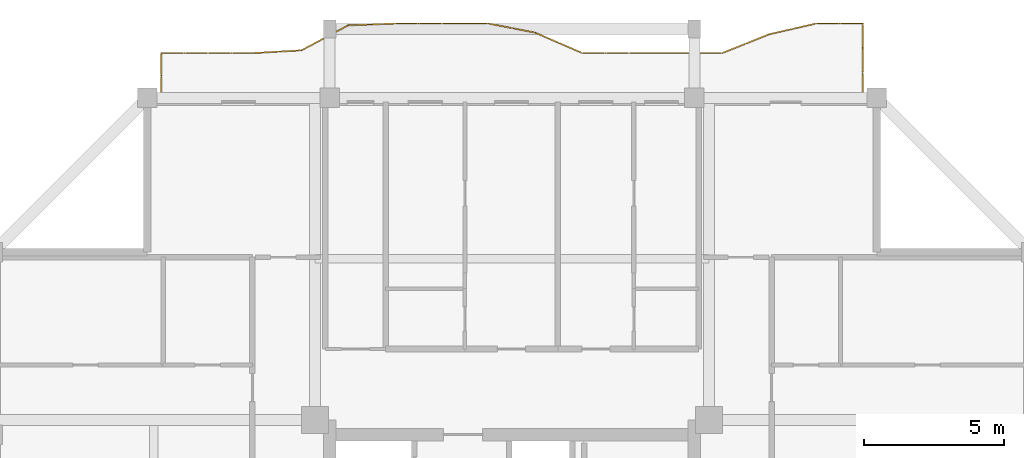
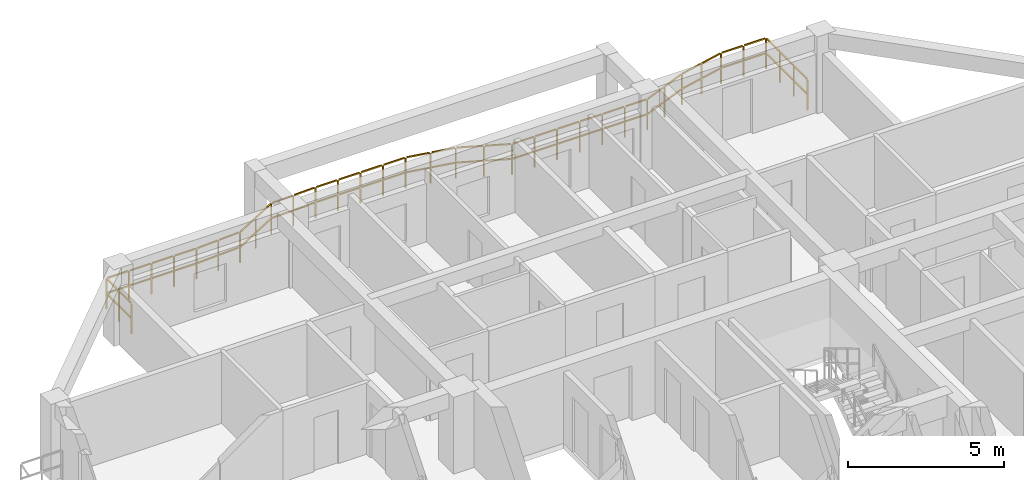
# One storey, part 14 of 14: 1 railing.
"""IFC4 building model written with IfcOpenShell, lengths in metres."""

from ifc_helpers import new_model, si_unit, direction, frame, origin, origin_2d, place, context, subcontext, project, spatial, rectangle, extrude, material, type_object, element, save


model = new_model("IFC4")

# Units and contexts
model_context = context("Model", 3, precision=1e-05, world=origin(), true_north=direction((0.0, 1.0)))
body_context = subcontext(model_context, "Body", "Model", "MODEL_VIEW")
ifc_project = project(units=[si_unit("LENGTHUNIT", "METRE"), si_unit("AREAUNIT", "SQUARE_METRE"), si_unit("VOLUMEUNIT", "CUBIC_METRE"), si_unit("PLANEANGLEUNIT", "RADIAN"), si_unit("MASSUNIT", "GRAM", prefix="KILO")], contexts=[model_context])

# Site, building, storey
site_placement = place(None, origin())
site = spatial("IfcSite", under=ifc_project, at=site_placement, CompositionType="ELEMENT")
building_placement = place(site_placement, origin())
building = spatial("IfcBuilding", under=site, at=building_placement, Name="Saelheon Loggia Tower", CompositionType="ELEMENT")
storey_placement = place(building_placement, frame((0.0, 0.0, 210.300048828125)))
storey = spatial("IfcBuildingStorey", under=building, at=storey_placement, Name="L65", CompositionType="ELEMENT", Elevation=210.300048828125)

# Railing
ifc_material = material(Name="Architectural Precast Concrete and Laminated Glass Guard", Category="concrete")
railing_type = type_object("IfcRailingType", Name="Guard_Loggia_RL_LOG", PredefinedType="BALUSTRADE", material=ifc_material)
railing_placement = place(storey_placement, frame((50.5, 48.0, 0.0)))
element("IfcRailing", 1, at=railing_placement, inside=storey, type_object=railing_type, Name="L65 North Loggia Balustrade", PredefinedType="BALUSTRADE", context=body_context, shape_type="SweptSolid", body=[
    extrude(rectangle(XDim=0.048095703125, YDim=0.048095703125, at=origin_2d()), frame((0.0, 0.033203125, 1.19580078125), z_axis=(0.0, 1.0, 0.0), x_axis=(-1.0, 0.0, 0.0)), (0.0, 0.0, 1.0), 0.81689453125),
    extrude(rectangle(XDim=0.048095703125, YDim=0.048095703125, at=origin_2d()), frame((0.0, 0.033203125, 0.60986328125), z_axis=(0.0, 1.0, 0.0), x_axis=(-1.0, 0.0, 0.0)), (0.0, 0.0, 1.0), 0.81689453125),
    extrude(rectangle(XDim=0.048095703125, YDim=0.048095703125, at=origin_2d()), frame((0.0, 0.91650390625, 1.19580078125), z_axis=(0.0, 1.0, 0.0), x_axis=(-1.0, 0.0, 0.0)), (0.0, 0.0, 1.0), 0.81689453125),
    extrude(rectangle(XDim=0.048095703125, YDim=0.048095703125, at=origin_2d()), frame((0.0, 0.91650390625, 0.60986328125), z_axis=(0.0, 1.0, 0.0), x_axis=(-1.0, 0.0, 0.0)), (0.0, 0.0, 1.0), 0.81689453125),
    extrude(rectangle(XDim=0.048095703125, YDim=0.048095703125, at=origin_2d()), frame((0.0, 1.7998046875, 1.19580078125), z_axis=(0.0, 1.0, 0.0), x_axis=(-1.0, 0.0, 0.0)), (0.0, 0.0, 1.0), 0.81689453125),
    extrude(rectangle(XDim=0.048095703125, YDim=0.048095703125, at=origin_2d()), frame((0.0, 1.7998046875, 0.60986328125), z_axis=(0.0, 1.0, 0.0), x_axis=(-1.0, 0.0, 0.0)), (0.0, 0.0, 1.0), 0.81689453125),
    extrude(rectangle(XDim=0.048095703125, YDim=0.048095703125, at=origin_2d()), frame((-0.033203125, 2.64990234375, 1.19580078125), z_axis=(-1.0, 0.0, 0.0), x_axis=(0.0, -1.0, 0.0)), (0.0, 0.0, 1.0), 0.766845703125),
    extrude(rectangle(XDim=0.048095703125, YDim=0.048095703125, at=origin_2d()), frame((-0.033203125, 2.64990234375, 0.60986328125), z_axis=(-1.0, 0.0, 0.0), x_axis=(0.0, -1.0, 0.0)), (0.0, 0.0, 1.0), 0.766845703125),
    extrude(rectangle(XDim=0.048095703125, YDim=0.048095703125, at=origin_2d()), frame((-0.86669921875, 2.64990234375, 1.19580078125), z_axis=(-1.0, 0.0, 0.0), x_axis=(0.0, -1.0, 0.0)), (0.0, 0.0, 1.0), 0.766845703125),
    extrude(rectangle(XDim=0.048095703125, YDim=0.048095703125, at=origin_2d()), frame((-0.86669921875, 2.64990234375, 0.60986328125), z_axis=(-1.0, 0.0, 0.0), x_axis=(0.0, -1.0, 0.0)), (0.0, 0.0, 1.0), 0.766845703125),
    extrude(rectangle(XDim=0.048095703125, YDim=0.048095703125, at=origin_2d()), frame((-1.69921875, 2.642578125, 1.19580078125), z_axis=(-0.974679179276, -0.223607910159, 0.0), x_axis=(0.223607910159, -0.974679179276, 0.0)), (0.0, 0.0, 1.0), 0.788330078125),
    extrude(rectangle(XDim=0.048095703125, YDim=0.048095703125, at=origin_2d()), frame((-1.69921875, 2.642578125, 0.60986328125), z_axis=(-0.974679179276, -0.223607910159, 0.0), x_axis=(0.223607910159, -0.974679179276, 0.0)), (0.0, 0.0, 1.0), 0.788330078125),
    extrude(rectangle(XDim=0.048095703125, YDim=0.048095703125, at=origin_2d()), frame((-2.532470703125, 2.451416015625, 1.19580078125), z_axis=(-0.974679179276, -0.223607910159, 0.0), x_axis=(0.223607910159, -0.974679179276, 0.0)), (0.0, 0.0, 1.0), 0.788330078125),
    extrude(rectangle(XDim=0.048095703125, YDim=0.048095703125, at=origin_2d()), frame((-2.532470703125, 2.451416015625, 0.60986328125), z_axis=(-0.974679179276, -0.223607910159, 0.0), x_axis=(0.223607910159, -0.974679179276, 0.0)), (0.0, 0.0, 1.0), 0.788330078125),
    extrude(rectangle(XDim=0.048095703125, YDim=0.048095703125, at=origin_2d()), frame((-3.364013671875, 2.255126953125, 1.19580078125), z_axis=(-0.928326569651, -0.371765759693, 0.0), x_axis=(0.371765759693, -0.928326569651, 0.0)), (0.0, 0.0, 1.0), 0.831298828125),
    extrude(rectangle(XDim=0.048095703125, YDim=0.048095703125, at=origin_2d()), frame((-3.364013671875, 2.255126953125, 0.60986328125), z_axis=(-0.928326569651, -0.371765759693, 0.0), x_axis=(0.371765759693, -0.928326569651, 0.0)), (0.0, 0.0, 1.0), 0.831298828125),
    extrude(rectangle(XDim=0.048095703125, YDim=0.048095703125, at=origin_2d()), frame((-4.197509765625, 1.92138671875, 1.19580078125), z_axis=(-0.928326569651, -0.371765759693, 0.0), x_axis=(0.371765759693, -0.928326569651, 0.0)), (0.0, 0.0, 1.0), 0.831298828125),
    extrude(rectangle(XDim=0.048095703125, YDim=0.048095703125, at=origin_2d()), frame((-4.197509765625, 1.92138671875, 0.60986328125), z_axis=(-0.928326569651, -0.371765759693, 0.0), x_axis=(0.371765759693, -0.928326569651, 0.0)), (0.0, 0.0, 1.0), 0.831298828125),
    extrude(rectangle(XDim=0.048095703125, YDim=0.048095703125, at=origin_2d()), frame((-5.033203125, 1.60009765625, 1.19580078125), z_axis=(-1.0, 0.0, 0.0), x_axis=(0.0, -1.0, 0.0)), (0.0, 0.0, 1.0), 0.766845703125),
    extrude(rectangle(XDim=0.048095703125, YDim=0.048095703125, at=origin_2d()), frame((-5.033203125, 1.60009765625, 0.60986328125), z_axis=(-1.0, 0.0, 0.0), x_axis=(0.0, -1.0, 0.0)), (0.0, 0.0, 1.0), 0.766845703125),
    extrude(rectangle(XDim=0.048095703125, YDim=0.048095703125, at=origin_2d()), frame((-5.86669921875, 1.60009765625, 1.19580078125), z_axis=(-1.0, 0.0, 0.0), x_axis=(0.0, -1.0, 0.0)), (0.0, 0.0, 1.0), 0.766845703125),
    extrude(rectangle(XDim=0.048095703125, YDim=0.048095703125, at=origin_2d()), frame((-5.86669921875, 1.60009765625, 0.60986328125), z_axis=(-1.0, 0.0, 0.0), x_axis=(0.0, -1.0, 0.0)), (0.0, 0.0, 1.0), 0.766845703125),
    extrude(rectangle(XDim=0.048095703125, YDim=0.048095703125, at=origin_2d()), frame((-6.699951171875, 1.60009765625, 1.19580078125), z_axis=(-1.0, 0.0, 0.0), x_axis=(0.0, -1.0, 0.0)), (0.0, 0.0, 1.0), 0.766845703125),
    extrude(rectangle(XDim=0.048095703125, YDim=0.048095703125, at=origin_2d()), frame((-6.699951171875, 1.60009765625, 0.60986328125), z_axis=(-1.0, 0.0, 0.0), x_axis=(0.0, -1.0, 0.0)), (0.0, 0.0, 1.0), 0.766845703125),
    extrude(rectangle(XDim=0.048095703125, YDim=0.048095703125, at=origin_2d()), frame((-7.533203125, 1.60009765625, 1.19580078125), z_axis=(-1.0, 0.0, 0.0), x_axis=(0.0, -1.0, 0.0)), (0.0, 0.0, 1.0), 0.766845703125),
    extrude(rectangle(XDim=0.048095703125, YDim=0.048095703125, at=origin_2d()), frame((-7.533203125, 1.60009765625, 0.60986328125), z_axis=(-1.0, 0.0, 0.0), x_axis=(0.0, -1.0, 0.0)), (0.0, 0.0, 1.0), 0.766845703125),
    extrude(rectangle(XDim=0.048095703125, YDim=0.048095703125, at=origin_2d()), frame((-8.366455078125, 1.60009765625, 1.19580078125), z_axis=(-1.0, 0.0, 0.0), x_axis=(0.0, -1.0, 0.0)), (0.0, 0.0, 1.0), 0.766845703125),
    extrude(rectangle(XDim=0.048095703125, YDim=0.048095703125, at=origin_2d()), frame((-8.366455078125, 1.60009765625, 0.60986328125), z_axis=(-1.0, 0.0, 0.0), x_axis=(0.0, -1.0, 0.0)), (0.0, 0.0, 1.0), 0.766845703125),
    extrude(rectangle(XDim=0.048095703125, YDim=0.048095703125, at=origin_2d()), frame((-9.199951171875, 1.60009765625, 1.19580078125), z_axis=(-1.0, 0.0, 0.0), x_axis=(0.0, -1.0, 0.0)), (0.0, 0.0, 1.0), 0.766845703125),
    extrude(rectangle(XDim=0.048095703125, YDim=0.048095703125, at=origin_2d()), frame((-9.199951171875, 1.60009765625, 0.60986328125), z_axis=(-1.0, 0.0, 0.0), x_axis=(0.0, -1.0, 0.0)), (0.0, 0.0, 1.0), 0.766845703125),
    extrude(rectangle(XDim=0.048095703125, YDim=0.048095703125, at=origin_2d()), frame((-10.030517578125, 1.61328125, 1.19580078125), z_axis=(-0.917671645911, 0.397339590642, 0.0), x_axis=(-0.397339590642, -0.917671645911, 0.0)), (0.0, 0.0, 1.0), 0.841552734375),
    extrude(rectangle(XDim=0.048095703125, YDim=0.048095703125, at=origin_2d()), frame((-10.030517578125, 1.61328125, 0.60986328125), z_axis=(-0.917671645911, 0.397339590642, 0.0), x_axis=(-0.397339590642, -0.917671645911, 0.0)), (0.0, 0.0, 1.0), 0.841552734375),
    extrude(rectangle(XDim=0.048095703125, YDim=0.048095703125, at=origin_2d()), frame((-10.86376953125, 1.97412109375, 1.19580078125), z_axis=(-0.917671645911, 0.397339590642, 0.0), x_axis=(-0.397339590642, -0.917671645911, 0.0)), (0.0, 0.0, 1.0), 0.841552734375),
    extrude(rectangle(XDim=0.048095703125, YDim=0.048095703125, at=origin_2d()), frame((-10.86376953125, 1.97412109375, 0.60986328125), z_axis=(-0.917671645911, 0.397339590642, 0.0), x_axis=(-0.397339590642, -0.917671645911, 0.0)), (0.0, 0.0, 1.0), 0.841552734375),
    extrude(rectangle(XDim=0.048095703125, YDim=0.048095703125, at=origin_2d()), frame((-11.699462890625, 2.328125, 1.19580078125), z_axis=(-0.981162310817, 0.193185195684, 0.0), x_axis=(-0.193185195684, -0.981162310817, 0.0)), (0.0, 0.0, 1.0), 0.78271484375),
    extrude(rectangle(XDim=0.048095703125, YDim=0.048095703125, at=origin_2d()), frame((-11.699462890625, 2.328125, 0.60986328125), z_axis=(-0.981162310817, 0.193185195684, 0.0), x_axis=(-0.193185195684, -0.981162310817, 0.0)), (0.0, 0.0, 1.0), 0.78271484375),
    extrude(rectangle(XDim=0.048095703125, YDim=0.048095703125, at=origin_2d()), frame((-12.53271484375, 2.4921875, 1.19580078125), z_axis=(-0.981162310817, 0.193185195684, 0.0), x_axis=(-0.193185195684, -0.981162310817, 0.0)), (0.0, 0.0, 1.0), 0.78271484375),
    extrude(rectangle(XDim=0.048095703125, YDim=0.048095703125, at=origin_2d()), frame((-12.53271484375, 2.4921875, 0.60986328125), z_axis=(-0.981162310817, 0.193185195684, 0.0), x_axis=(-0.193185195684, -0.981162310817, 0.0)), (0.0, 0.0, 1.0), 0.78271484375),
    extrude(rectangle(XDim=0.048095703125, YDim=0.048095703125, at=origin_2d()), frame((-13.366455078125, 2.64990234375, 1.19580078125), z_axis=(-1.0, 0.0, 0.0), x_axis=(0.0, -1.0, 0.0)), (0.0, 0.0, 1.0), 0.766845703125),
    extrude(rectangle(XDim=0.048095703125, YDim=0.048095703125, at=origin_2d()), frame((-13.366455078125, 2.64990234375, 0.60986328125), z_axis=(-1.0, 0.0, 0.0), x_axis=(0.0, -1.0, 0.0)), (0.0, 0.0, 1.0), 0.766845703125),
    extrude(rectangle(XDim=0.048095703125, YDim=0.048095703125, at=origin_2d()), frame((-14.199951171875, 2.64990234375, 1.19580078125), z_axis=(-1.0, 0.0, 0.0), x_axis=(0.0, -1.0, 0.0)), (0.0, 0.0, 1.0), 0.766845703125),
    extrude(rectangle(XDim=0.048095703125, YDim=0.048095703125, at=origin_2d()), frame((-14.199951171875, 2.64990234375, 0.60986328125), z_axis=(-1.0, 0.0, 0.0), x_axis=(0.0, -1.0, 0.0)), (0.0, 0.0, 1.0), 0.766845703125),
    extrude(rectangle(XDim=0.048095703125, YDim=0.048095703125, at=origin_2d()), frame((-15.033203125, 2.64990234375, 1.19580078125), z_axis=(-1.0, 0.0, 0.0), x_axis=(0.0, -1.0, 0.0)), (0.0, 0.0, 1.0), 0.766845703125),
    extrude(rectangle(XDim=0.048095703125, YDim=0.048095703125, at=origin_2d()), frame((-15.033203125, 2.64990234375, 0.60986328125), z_axis=(-1.0, 0.0, 0.0), x_axis=(0.0, -1.0, 0.0)), (0.0, 0.0, 1.0), 0.766845703125),
    extrude(rectangle(XDim=0.048095703125, YDim=0.048095703125, at=origin_2d()), frame((-15.86669921875, 2.64990234375, 1.19580078125), z_axis=(-1.0, 0.0, 0.0), x_axis=(0.0, -1.0, 0.0)), (0.0, 0.0, 1.0), 0.766845703125),
    extrude(rectangle(XDim=0.048095703125, YDim=0.048095703125, at=origin_2d()), frame((-15.86669921875, 2.64990234375, 0.60986328125), z_axis=(-1.0, 0.0, 0.0), x_axis=(0.0, -1.0, 0.0)), (0.0, 0.0, 1.0), 0.766845703125),
    extrude(rectangle(XDim=0.048095703125, YDim=0.048095703125, at=origin_2d()), frame((-16.699951171875, 2.648681640625, 1.19580078125), z_axis=(-0.999269798762, -0.038208235786, 0.0), x_axis=(0.038208235786, -0.999269798762, 0.0)), (0.0, 0.0, 1.0), 0.767333984375),
    extrude(rectangle(XDim=0.048095703125, YDim=0.048095703125, at=origin_2d()), frame((-16.699951171875, 2.648681640625, 0.60986328125), z_axis=(-0.999269798762, -0.038208235786, 0.0), x_axis=(0.038208235786, -0.999269798762, 0.0)), (0.0, 0.0, 1.0), 0.767333984375),
    extrude(rectangle(XDim=0.048095703125, YDim=0.048095703125, at=origin_2d()), frame((-17.533203125, 2.61669921875, 1.19580078125), z_axis=(-0.999269798762, -0.038208235786, 0.0), x_axis=(0.038208235786, -0.999269798762, 0.0)), (0.0, 0.0, 1.0), 0.767333984375),
    extrude(rectangle(XDim=0.048095703125, YDim=0.048095703125, at=origin_2d()), frame((-17.533203125, 2.61669921875, 0.60986328125), z_axis=(-0.999269798762, -0.038208235786, 0.0), x_axis=(0.038208235786, -0.999269798762, 0.0)), (0.0, 0.0, 1.0), 0.767333984375),
    extrude(rectangle(XDim=0.048095703125, YDim=0.048095703125, at=origin_2d()), frame((-18.362548828125, 2.570556640625, 1.19580078125), z_axis=(-0.88224917848, -0.470782738714, 0.0), x_axis=(0.470782738714, -0.88224917848, 0.0)), (0.0, 0.0, 1.0), 0.878173828125),
    extrude(rectangle(XDim=0.048095703125, YDim=0.048095703125, at=origin_2d()), frame((-18.362548828125, 2.570556640625, 0.60986328125), z_axis=(-0.88224917848, -0.470782738714, 0.0), x_axis=(0.470782738714, -0.88224917848, 0.0)), (0.0, 0.0, 1.0), 0.878173828125),
    extrude(rectangle(XDim=0.048095703125, YDim=0.048095703125, at=origin_2d()), frame((-19.196044921875, 2.125732421875, 1.19580078125), z_axis=(-0.88224917848, -0.470782738714, 0.0), x_axis=(0.470782738714, -0.88224917848, 0.0)), (0.0, 0.0, 1.0), 0.878173828125),
    extrude(rectangle(XDim=0.048095703125, YDim=0.048095703125, at=origin_2d()), frame((-19.196044921875, 2.125732421875, 0.60986328125), z_axis=(-0.88224917848, -0.470782738714, 0.0), x_axis=(0.470782738714, -0.88224917848, 0.0)), (0.0, 0.0, 1.0), 0.878173828125),
    extrude(rectangle(XDim=0.048095703125, YDim=0.048095703125, at=origin_2d()), frame((-20.033203125, 1.69482421875, 1.19580078125), z_axis=(-0.998321944411, -0.057907644644, 0.0), x_axis=(0.057907644644, -0.998321944411, 0.0)), (0.0, 0.0, 1.0), 0.768310546875),
    extrude(rectangle(XDim=0.048095703125, YDim=0.048095703125, at=origin_2d()), frame((-20.033203125, 1.69482421875, 0.60986328125), z_axis=(-0.998321944411, -0.057907644644, 0.0), x_axis=(0.057907644644, -0.998321944411, 0.0)), (0.0, 0.0, 1.0), 0.768310546875),
    extrude(rectangle(XDim=0.048095703125, YDim=0.048095703125, at=origin_2d()), frame((-20.866455078125, 1.646484375, 1.19580078125), z_axis=(-0.998321944411, -0.057907644644, 0.0), x_axis=(0.057907644644, -0.998321944411, 0.0)), (0.0, 0.0, 1.0), 0.768310546875),
    extrude(rectangle(XDim=0.048095703125, YDim=0.048095703125, at=origin_2d()), frame((-20.866455078125, 1.646484375, 0.60986328125), z_axis=(-0.998321944411, -0.057907644644, 0.0), x_axis=(0.057907644644, -0.998321944411, 0.0)), (0.0, 0.0, 1.0), 0.768310546875),
    extrude(rectangle(XDim=0.048095703125, YDim=0.048095703125, at=origin_2d()), frame((-21.699951171875, 1.60009765625, 1.19580078125), z_axis=(-1.0, 0.0, 0.0), x_axis=(0.0, -1.0, 0.0)), (0.0, 0.0, 1.0), 0.766845703125),
    extrude(rectangle(XDim=0.048095703125, YDim=0.048095703125, at=origin_2d()), frame((-21.699951171875, 1.60009765625, 0.60986328125), z_axis=(-1.0, 0.0, 0.0), x_axis=(0.0, -1.0, 0.0)), (0.0, 0.0, 1.0), 0.766845703125),
    extrude(rectangle(XDim=0.048095703125, YDim=0.048095703125, at=origin_2d()), frame((-22.533203125, 1.60009765625, 1.19580078125), z_axis=(-1.0, 0.0, 0.0), x_axis=(0.0, -1.0, 0.0)), (0.0, 0.0, 1.0), 0.766845703125),
    extrude(rectangle(XDim=0.048095703125, YDim=0.048095703125, at=origin_2d()), frame((-22.533203125, 1.60009765625, 0.60986328125), z_axis=(-1.0, 0.0, 0.0), x_axis=(0.0, -1.0, 0.0)), (0.0, 0.0, 1.0), 0.766845703125),
    extrude(rectangle(XDim=0.048095703125, YDim=0.048095703125, at=origin_2d()), frame((-23.366455078125, 1.60009765625, 1.19580078125), z_axis=(-1.0, 0.0, 0.0), x_axis=(0.0, -1.0, 0.0)), (0.0, 0.0, 1.0), 0.766845703125),
    extrude(rectangle(XDim=0.048095703125, YDim=0.048095703125, at=origin_2d()), frame((-23.366455078125, 1.60009765625, 0.60986328125), z_axis=(-1.0, 0.0, 0.0), x_axis=(0.0, -1.0, 0.0)), (0.0, 0.0, 1.0), 0.766845703125),
    extrude(rectangle(XDim=0.048095703125, YDim=0.048095703125, at=origin_2d()), frame((-24.199951171875, 1.60009765625, 1.19580078125), z_axis=(-1.0, 0.0, 0.0), x_axis=(0.0, -1.0, 0.0)), (0.0, 0.0, 1.0), 0.766845703125),
    extrude(rectangle(XDim=0.048095703125, YDim=0.048095703125, at=origin_2d()), frame((-24.199951171875, 1.60009765625, 0.60986328125), z_axis=(-1.0, 0.0, 0.0), x_axis=(0.0, -1.0, 0.0)), (0.0, 0.0, 1.0), 0.766845703125),
    extrude(rectangle(XDim=0.048095703125, YDim=0.048095703125, at=origin_2d()), frame((-25.0, 1.56689453125, 1.19580078125), z_axis=(0.0, -1.0, 0.0), x_axis=(1.0, 0.0, 0.0)), (0.0, 0.0, 1.0), 0.733642578125),
    extrude(rectangle(XDim=0.048095703125, YDim=0.048095703125, at=origin_2d()), frame((-25.0, 1.56689453125, 0.60986328125), z_axis=(0.0, -1.0, 0.0), x_axis=(1.0, 0.0, 0.0)), (0.0, 0.0, 1.0), 0.733642578125),
    extrude(rectangle(XDim=0.048095703125, YDim=0.048095703125, at=origin_2d()), frame((-25.0, 0.766845703125, 1.19580078125), z_axis=(0.0, -1.0, 0.0), x_axis=(1.0, 0.0, 0.0)), (0.0, 0.0, 1.0), 0.733642578125),
    extrude(rectangle(XDim=0.048095703125, YDim=0.048095703125, at=origin_2d()), frame((-25.0, 0.766845703125, 0.60986328125), z_axis=(0.0, -1.0, 0.0), x_axis=(1.0, 0.0, 0.0)), (0.0, 0.0, 1.0), 0.733642578125),
    extrude(rectangle(XDim=0.0419921875, YDim=0.0419921875, at=origin_2d()), origin(), (0.0, 0.0, 1.0), 1.16796875),
    extrude(rectangle(XDim=0.0419921875, YDim=0.0419921875, at=origin_2d()), frame((0.0, 0.88330078125, 0.0)), (0.0, 0.0, 1.0), 1.16796875),
    extrude(rectangle(XDim=0.0419921875, YDim=0.0419921875, at=origin_2d()), frame((0.0, 1.7666015625, 0.0)), (0.0, 0.0, 1.0), 1.16796875),
    extrude(rectangle(XDim=0.0419921875, YDim=0.0419921875, at=origin_2d()), frame((0.0, 2.64990234375, 0.0)), (0.0, 0.0, 1.0), 1.16796875),
    extrude(rectangle(XDim=0.0419921875, YDim=0.0419921875, at=origin_2d()), frame((-0.83349609375, 2.64990234375, 0.0)), (0.0, 0.0, 1.0), 1.16796875),
    extrude(rectangle(XDim=0.0419921875, YDim=0.0419921875, at=origin_2d()), frame((-1.666748046875, 2.64990234375, 0.0)), (0.0, 0.0, 1.0), 1.16796875),
    extrude(rectangle(XDim=0.0419921875, YDim=0.0419921875, at=origin_2d()), frame((-2.5, 2.458740234375, 0.0)), (0.0, 0.0, 1.0), 1.16796875),
    extrude(rectangle(XDim=0.0419921875, YDim=0.0419921875, at=origin_2d()), frame((-3.333251953125, 2.267578125, 0.0)), (0.0, 0.0, 1.0), 1.16796875),
    extrude(rectangle(XDim=0.0419921875, YDim=0.0419921875, at=origin_2d()), frame((-4.16650390625, 1.933837890625, 0.0)), (0.0, 0.0, 1.0), 1.16796875),
    extrude(rectangle(XDim=0.0419921875, YDim=0.0419921875, at=origin_2d()), frame((-5.0, 1.60009765625, 0.0)), (0.0, 0.0, 1.0), 1.16796875),
    extrude(rectangle(XDim=0.0419921875, YDim=0.0419921875, at=origin_2d()), frame((-5.83349609375, 1.60009765625, 0.0)), (0.0, 0.0, 1.0), 1.16796875),
    extrude(rectangle(XDim=0.0419921875, YDim=0.0419921875, at=origin_2d()), frame((-6.666748046875, 1.60009765625, 0.0)), (0.0, 0.0, 1.0), 1.16796875),
    extrude(rectangle(XDim=0.0419921875, YDim=0.0419921875, at=origin_2d()), frame((-7.5, 1.60009765625, 0.0)), (0.0, 0.0, 1.0), 1.16796875),
    extrude(rectangle(XDim=0.0419921875, YDim=0.0419921875, at=origin_2d()), frame((-8.333251953125, 1.60009765625, 0.0)), (0.0, 0.0, 1.0), 1.16796875),
    extrude(rectangle(XDim=0.0419921875, YDim=0.0419921875, at=origin_2d()), frame((-9.16650390625, 1.60009765625, 0.0)), (0.0, 0.0, 1.0), 1.16796875),
    extrude(rectangle(XDim=0.0419921875, YDim=0.0419921875, at=origin_2d()), frame((-10.0, 1.60009765625, 0.0)), (0.0, 0.0, 1.0), 1.16796875),
    extrude(rectangle(XDim=0.0419921875, YDim=0.0419921875, at=origin_2d()), frame((-10.83349609375, 1.9609375, 0.0)), (0.0, 0.0, 1.0), 1.16796875),
    extrude(rectangle(XDim=0.0419921875, YDim=0.0419921875, at=origin_2d()), frame((-11.666748046875, 2.32177734375, 0.0)), (0.0, 0.0, 1.0), 1.16796875),
    extrude(rectangle(XDim=0.0419921875, YDim=0.0419921875, at=origin_2d()), frame((-12.5, 2.48583984375, 0.0)), (0.0, 0.0, 1.0), 1.16796875),
    extrude(rectangle(XDim=0.0419921875, YDim=0.0419921875, at=origin_2d()), frame((-13.333251953125, 2.64990234375, 0.0)), (0.0, 0.0, 1.0), 1.16796875),
    extrude(rectangle(XDim=0.0419921875, YDim=0.0419921875, at=origin_2d()), frame((-14.16650390625, 2.64990234375, 0.0)), (0.0, 0.0, 1.0), 1.16796875),
    extrude(rectangle(XDim=0.0419921875, YDim=0.0419921875, at=origin_2d()), frame((-15.0, 2.64990234375, 0.0)), (0.0, 0.0, 1.0), 1.16796875),
    extrude(rectangle(XDim=0.0419921875, YDim=0.0419921875, at=origin_2d()), frame((-15.83349609375, 2.64990234375, 0.0)), (0.0, 0.0, 1.0), 1.16796875),
    extrude(rectangle(XDim=0.0419921875, YDim=0.0419921875, at=origin_2d()), frame((-16.666748046875, 2.64990234375, 0.0)), (0.0, 0.0, 1.0), 1.16796875),
    extrude(rectangle(XDim=0.0419921875, YDim=0.0419921875, at=origin_2d()), frame((-17.5, 2.6181640625, 0.0)), (0.0, 0.0, 1.0), 1.16796875),
    extrude(rectangle(XDim=0.0419921875, YDim=0.0419921875, at=origin_2d()), frame((-18.333251953125, 2.586181640625, 0.0)), (0.0, 0.0, 1.0), 1.16796875),
    extrude(rectangle(XDim=0.0419921875, YDim=0.0419921875, at=origin_2d()), frame((-19.16650390625, 2.1416015625, 0.0)), (0.0, 0.0, 1.0), 1.16796875),
    extrude(rectangle(XDim=0.0419921875, YDim=0.0419921875, at=origin_2d()), frame((-20.0, 1.69677734375, 0.0)), (0.0, 0.0, 1.0), 1.16796875),
    extrude(rectangle(XDim=0.0419921875, YDim=0.0419921875, at=origin_2d()), frame((-20.83349609375, 1.6484375, 0.0)), (0.0, 0.0, 1.0), 1.16796875),
    extrude(rectangle(XDim=0.0419921875, YDim=0.0419921875, at=origin_2d()), frame((-21.666748046875, 1.60009765625, 0.0)), (0.0, 0.0, 1.0), 1.16796875),
    extrude(rectangle(XDim=0.0419921875, YDim=0.0419921875, at=origin_2d()), frame((-22.5, 1.60009765625, 0.0)), (0.0, 0.0, 1.0), 1.16796875),
    extrude(rectangle(XDim=0.0419921875, YDim=0.0419921875, at=origin_2d()), frame((-23.333251953125, 1.60009765625, 0.0)), (0.0, 0.0, 1.0), 1.16796875),
    extrude(rectangle(XDim=0.0419921875, YDim=0.0419921875, at=origin_2d()), frame((-24.16650390625, 1.60009765625, 0.0)), (0.0, 0.0, 1.0), 1.16796875),
    extrude(rectangle(XDim=0.0419921875, YDim=0.0419921875, at=origin_2d()), frame((-25.0, 1.60009765625, 0.0)), (0.0, 0.0, 1.0), 1.16796875),
    extrude(rectangle(XDim=0.0419921875, YDim=0.0419921875, at=origin_2d()), frame((-25.0, 0.800048828125, 0.0)), (0.0, 0.0, 1.0), 1.16796875),
    extrude(rectangle(XDim=0.0419921875, YDim=0.0419921875, at=origin_2d()), frame((-25.0, 0.0, 0.0)), (0.0, 0.0, 1.0), 1.16796875),
])

save(model, "model.ifc")
